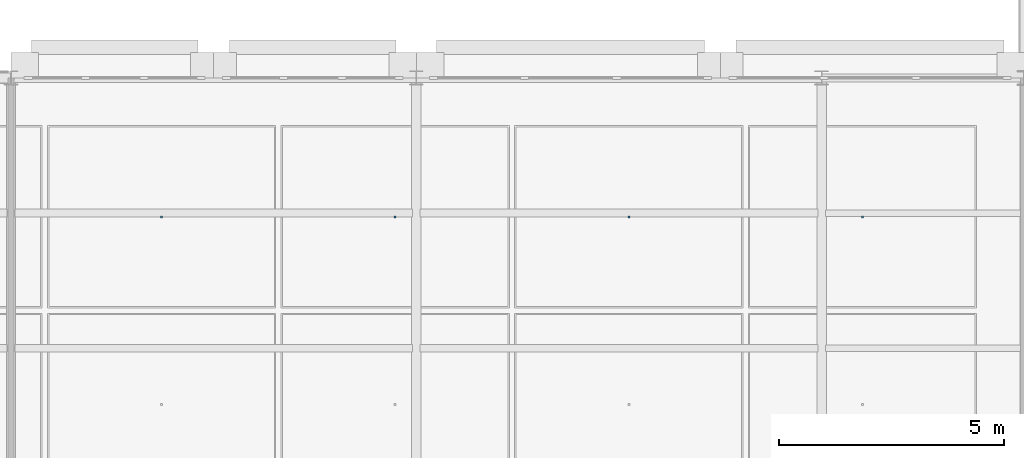
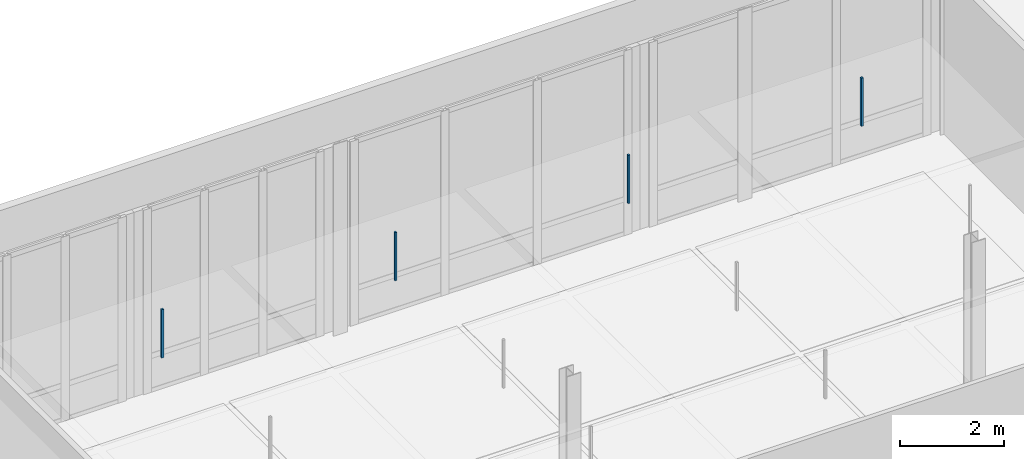
# One storey, part 69 of 89: 4 discrete accessories.
"""IFC4 building model written with IfcOpenShell, lengths in metres."""

from ifc_helpers import new_model, si_unit, direction, frame, origin, origin_2d, place, context, subcontext, project, spatial, rectangle, extrude, material, type_object, element, save


model = new_model("IFC4")

# Units and contexts
model_context = context("Model", 3, precision=1e-05, world=origin(), true_north=direction((0.0, 1.0)))
body_context = subcontext(model_context, "Body", "Model", "MODEL_VIEW")
ifc_project = project(units=[si_unit("LENGTHUNIT", "METRE"), si_unit("AREAUNIT", "SQUARE_METRE"), si_unit("VOLUMEUNIT", "CUBIC_METRE"), si_unit("PLANEANGLEUNIT", "RADIAN"), si_unit("MASSUNIT", "GRAM", prefix="KILO"), si_unit("THERMODYNAMICTEMPERATUREUNIT", "KELVIN"), si_unit("POWERUNIT", "WATT")], contexts=[model_context])

# Site, building, storey
site_placement = place(None, origin())
site = spatial("IfcSite", under=ifc_project, at=site_placement, CompositionType="ELEMENT")
building_placement = place(site_placement, origin())
building = spatial("IfcBuilding", under=site, at=building_placement, Name="Tallowbark Science Centre", CompositionType="ELEMENT")
storey_placement = place(building_placement, frame((0.0, 0.0, 14.39990234375)))
storey = spatial("IfcBuildingStorey", under=building, at=storey_placement, Name="L03", CompositionType="ELEMENT", Elevation=14.39990234375)

# Discrete accessories
ifc_material = material(Name="Galvanised Steel Grade C350L0 (350 MPa)", Category="steel")
discrete_accessory_type = type_object("IfcDiscreteAccessoryType", Name="ACC-CLG-HNG", PredefinedType="BRACKET", material=ifc_material)
for number, where, z_axis, x_axis, name in (
    (1, (93.34375, 95.916748046875, 3.205078125), (0.0, 0.0, 1.0), (1.0, 0.0, 0.0), "Ceiling Hanger Bracket L03-1014"),
    (2, (98.53125, 95.916748046875, 3.205078125), (0.0, 0.0, 1.0), (1.0, 0.0, 0.0), "Ceiling Hanger Bracket L03-1020"),
    (3, (103.71875, 95.916748046875, 3.205078125), (0.0, 0.0, 1.0), (1.0, 0.0, 0.0), "Ceiling Hanger Bracket L03-1026"),
    (4, (108.90625, 95.916748046875, 3.205078125), (0.0, 0.0, 1.0), (1.0, 0.0, 0.0), "Ceiling Hanger Bracket L03-1032"),
):
    element("IfcDiscreteAccessory", number, at=place(storey_placement, frame(where, z_axis=z_axis, x_axis=x_axis)), inside=storey, type_object=discrete_accessory_type, Name=name, PredefinedType="BRACKET", context=body_context, shape_type="SweptSolid", body=[
        extrude(rectangle(XDim=0.044921875, YDim=0.044921875, at=origin_2d()), origin(), (0.0, 0.0, 1.0), 1.137939453125),
    ])

save(model, "model.ifc")
